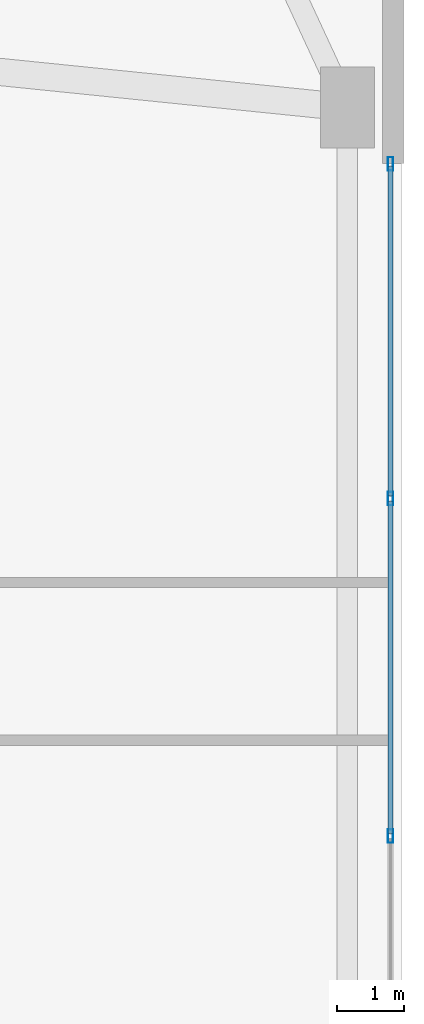
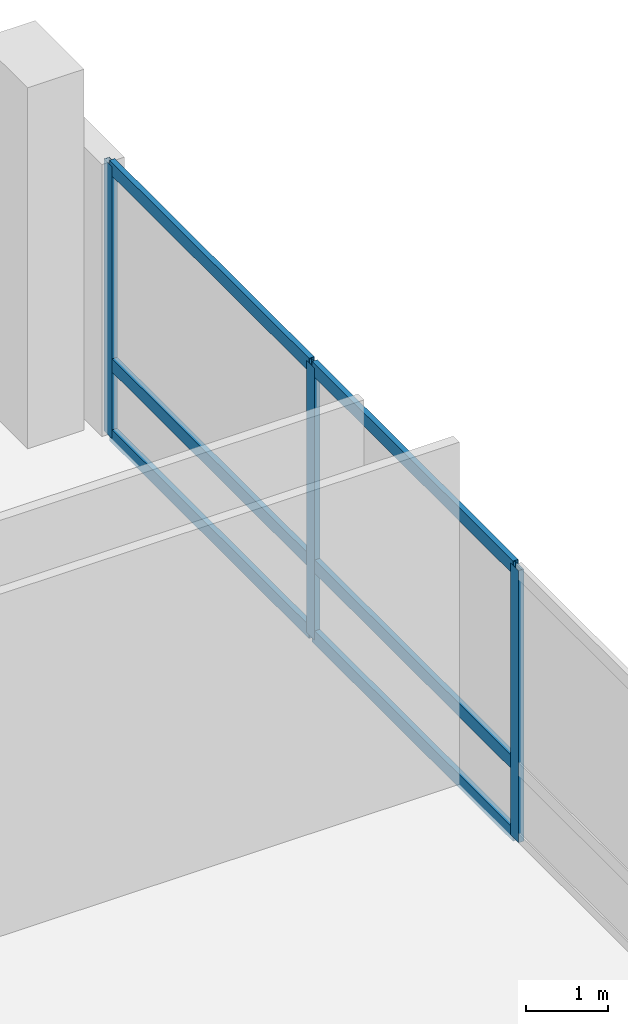
# One storey, part 23 of 40: 9 members, 1 element without a shape of its own.
"""IFC4 building model written with IfcOpenShell, lengths in metres."""

from ifc_helpers import new_model, si_unit, direction, frame, origin, origin_2d, place, context, subcontext, project, spatial, hollow_rectangle, extrude, material, layer, layer_set, material_profile, profile_set, type_object, element, aggregate, save


model = new_model("IFC4")

# Units and contexts
model_context = context("Model", 3, precision=1e-05, world=origin(), true_north=direction((0.0, 1.0)))
body_context = subcontext(model_context, "Body", "Model", "MODEL_VIEW")
ifc_project = project(units=[si_unit("LENGTHUNIT", "METRE"), si_unit("AREAUNIT", "SQUARE_METRE"), si_unit("VOLUMEUNIT", "CUBIC_METRE"), si_unit("PLANEANGLEUNIT", "RADIAN"), si_unit("MASSUNIT", "GRAM", prefix="KILO")], contexts=[model_context])

# Site, building, storey
site_placement = place(None, origin())
site = spatial("IfcSite", under=ifc_project, at=site_placement, CompositionType="ELEMENT")
building_placement = place(site_placement, origin())
building = spatial("IfcBuilding", under=site, at=building_placement, Name="Varnelok Gate Tower", CompositionType="ELEMENT")
storey_placement = place(building_placement, frame((0.0, 0.0, 5.39990234375)))
storey = spatial("IfcBuildingStorey", under=building, at=storey_placement, Name="L01", CompositionType="ELEMENT", Elevation=5.39990234375)

# Curtain wall, members
ifc_material = material(Name="Anodized Aluminum Alloy 6063-T6", Category="aluminium")
ifc_layer = layer(ifc_material, 0.179931640625)
ifc_layer_set = layer_set([ifc_layer], Name="Anodized Aluminum Alloy 6063-T6")
curtain_wall_type = type_object("IfcCurtainWallType", Name="CW1-ARCH-PORTAL", PredefinedType="USERDEFINED", material=ifc_layer_set)
curtain_wall_placement = place(storey_placement, origin())
curtain_wall = element("IfcCurtainWall", 1, at=curtain_wall_placement, inside=storey, type_object=curtain_wall_type, Name="L01 Podium Portal Curtain Wall E", ObjectType="UNITISED CURTAIN WALL", PredefinedType="USERDEFINED")
ifc_material_profile_1 = material_profile(ifc_material, hollow_rectangle(XDim=0.074951171875, YDim=0.199951171875, WallThickness=0.00390625, at=origin_2d()), Name="ALU200X75X4")
ifc_profile_set_1 = profile_set([ifc_material_profile_1], Name="Anodized Aluminum Alloy 6063-T6")
member_type_1 = type_object("IfcMemberType", Name="CW-MULL-200", PredefinedType="MULLION", material=ifc_profile_set_1)
member_1_placement = place(storey_placement, frame((78.239990234375, 35.16259765625, 0.0), z_axis=(0.0, 0.0, 1.0), x_axis=(1.0, 0.0, 0.0)))
member_1 = element("IfcMember", 2, at=member_1_placement, type_object=member_type_1, Name="CW1 mullion 1", PredefinedType="MULLION", context=body_context, shape_type="SweptSolid", body=[
    extrude(hollow_rectangle(XDim=0.074951171875, YDim=0.199951171875, WallThickness=0.00390625, at=origin_2d()), origin(), (0.0, 0.0, 1.0), 4.070068359375),
])
member_2_placement = place(storey_placement, frame((78.239990234375, 30.199951171875, 0.0), z_axis=(0.0, 0.0, 1.0), x_axis=(1.0, 0.0, 0.0)))
member_2 = element("IfcMember", 3, at=member_2_placement, type_object=member_type_1, Name="CW1 mullion 2", PredefinedType="MULLION", context=body_context, shape_type="SweptSolid", body=[
    extrude(hollow_rectangle(XDim=0.074951171875, YDim=0.199951171875, WallThickness=0.00390625, at=origin_2d()), origin(), (0.0, 0.0, 1.0), 4.070068359375),
])
member_3_placement = place(storey_placement, frame((78.239990234375, 25.199951171875, 0.0), z_axis=(0.0, 0.0, 1.0), x_axis=(1.0, 0.0, 0.0)))
member_3 = element("IfcMember", 4, at=member_3_placement, type_object=member_type_1, Name="CW1 mullion 3", PredefinedType="MULLION", context=body_context, shape_type="SweptSolid", body=[
    extrude(hollow_rectangle(XDim=0.074951171875, YDim=0.199951171875, WallThickness=0.00390625, at=origin_2d()), origin(), (0.0, 0.0, 1.0), 4.070068359375),
])
ifc_material_profile_2 = material_profile(ifc_material, hollow_rectangle(XDim=0.074951171875, YDim=0.199951171875, WallThickness=0.00390625, at=origin_2d()), Name="ALU200X75X4")
ifc_profile_set_2 = profile_set([ifc_material_profile_2], Name="Anodized Aluminum Alloy 6063-T6")
member_type_2 = type_object("IfcMemberType", Name="CW-TRAN-200", PredefinedType="USERDEFINED", material=ifc_profile_set_2)
member_4_placement = place(storey_placement, frame((78.239990234375, 35.125, 0.03759765625), z_axis=(0.0, -1.0, 0.0), x_axis=(1.0, 0.0, 0.0)))
member_4 = element("IfcMember", 5, at=member_4_placement, type_object=member_type_2, Name="CW1 transom 1.1", ObjectType="TRANSOM", PredefinedType="USERDEFINED", context=body_context, shape_type="SweptSolid", body=[
    extrude(hollow_rectangle(XDim=0.074951171875, YDim=0.199951171875, WallThickness=0.00390625, at=origin_2d()), origin(), (0.0, 0.0, 1.0), 4.887451171875),
])
member_5_placement = place(storey_placement, frame((78.239990234375, 35.125, 1.10009765625), z_axis=(0.0, -1.0, 0.0), x_axis=(1.0, 0.0, 0.0)))
member_5 = element("IfcMember", 6, at=member_5_placement, type_object=member_type_2, Name="CW1 transom 1.2", ObjectType="TRANSOM", PredefinedType="USERDEFINED", context=body_context, shape_type="SweptSolid", body=[
    extrude(hollow_rectangle(XDim=0.074951171875, YDim=0.199951171875, WallThickness=0.00390625, at=origin_2d()), origin(), (0.0, 0.0, 1.0), 4.887451171875),
])
member_6_placement = place(storey_placement, frame((78.239990234375, 35.125, 4.03271484375), z_axis=(0.0, -1.0, 0.0), x_axis=(1.0, 0.0, 0.0)))
member_6 = element("IfcMember", 7, at=member_6_placement, type_object=member_type_2, Name="CW1 transom 1.3", ObjectType="TRANSOM", PredefinedType="USERDEFINED", context=body_context, shape_type="SweptSolid", body=[
    extrude(hollow_rectangle(XDim=0.074951171875, YDim=0.199951171875, WallThickness=0.00390625, at=origin_2d()), origin(), (0.0, 0.0, 1.0), 4.887451171875),
])
member_7_placement = place(storey_placement, frame((78.239990234375, 30.16259765625, 0.03759765625), z_axis=(0.0, -1.0, 0.0), x_axis=(1.0, 0.0, 0.0)))
member_7 = element("IfcMember", 8, at=member_7_placement, type_object=member_type_2, Name="CW1 transom 2.1", ObjectType="TRANSOM", PredefinedType="USERDEFINED", context=body_context, shape_type="SweptSolid", body=[
    extrude(hollow_rectangle(XDim=0.074951171875, YDim=0.199951171875, WallThickness=0.00390625, at=origin_2d()), origin(), (0.0, 0.0, 1.0), 4.925048828125),
])
member_8_placement = place(storey_placement, frame((78.239990234375, 30.16259765625, 1.10009765625), z_axis=(0.0, -1.0, 0.0), x_axis=(1.0, 0.0, 0.0)))
member_8 = element("IfcMember", 9, at=member_8_placement, type_object=member_type_2, Name="CW1 transom 2.2", ObjectType="TRANSOM", PredefinedType="USERDEFINED", context=body_context, shape_type="SweptSolid", body=[
    extrude(hollow_rectangle(XDim=0.074951171875, YDim=0.199951171875, WallThickness=0.00390625, at=origin_2d()), origin(), (0.0, 0.0, 1.0), 4.925048828125),
])
member_9_placement = place(storey_placement, frame((78.239990234375, 30.16259765625, 4.03271484375), z_axis=(0.0, -1.0, 0.0), x_axis=(1.0, 0.0, 0.0)))
member_9 = element("IfcMember", 10, at=member_9_placement, type_object=member_type_2, Name="CW1 transom 2.3", ObjectType="TRANSOM", PredefinedType="USERDEFINED", context=body_context, shape_type="SweptSolid", body=[
    extrude(hollow_rectangle(XDim=0.074951171875, YDim=0.199951171875, WallThickness=0.00390625, at=origin_2d()), origin(), (0.0, 0.0, 1.0), 4.925048828125),
])
aggregate(curtain_wall, [member_1, member_2, member_3, member_4, member_5, member_6, member_7, member_8, member_9])

save(model, "model.ifc")
